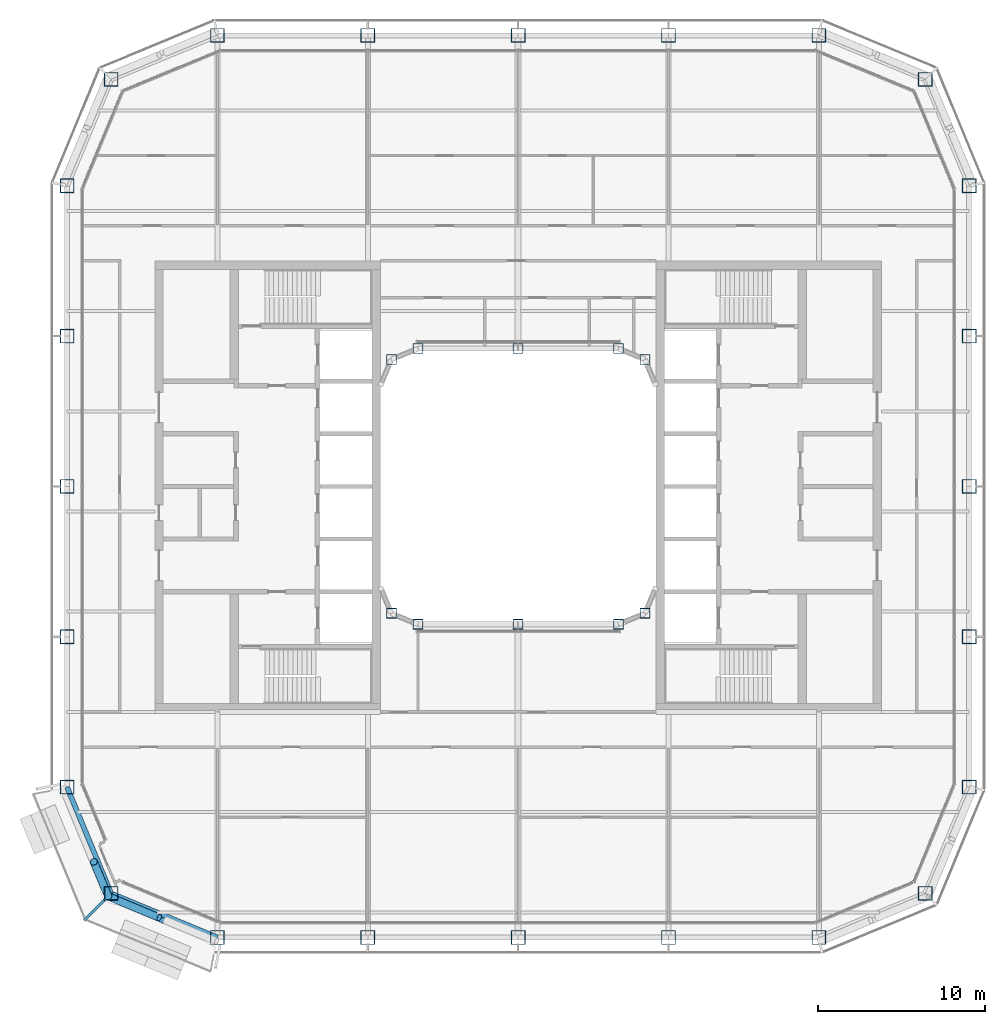
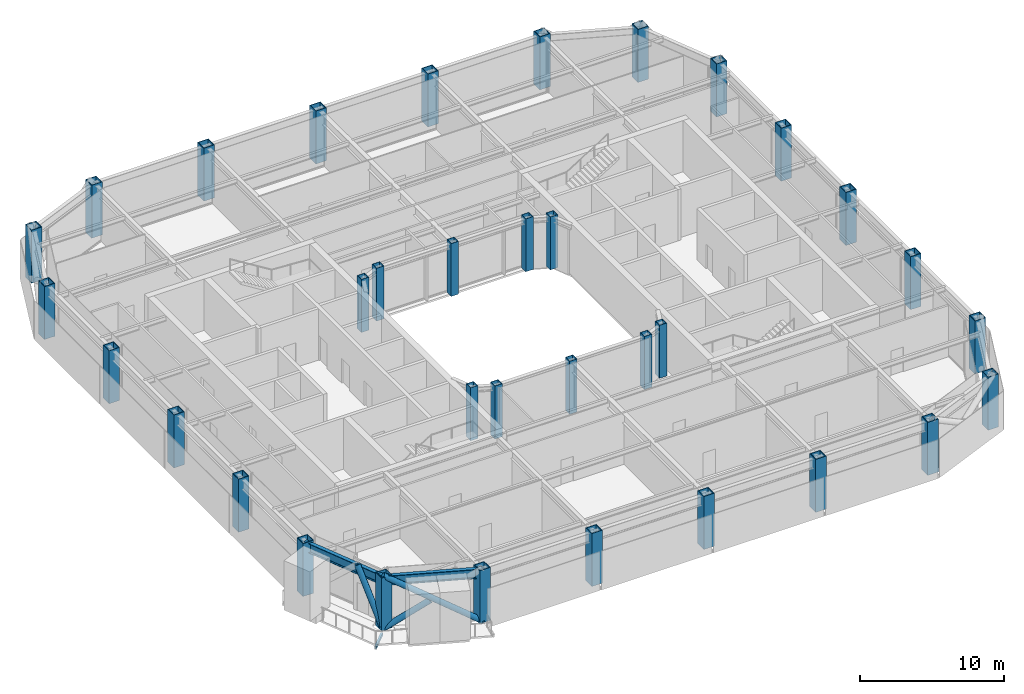
# One storey, part 1 of 23: 34 columns, 3 beams, 3 members.
"""IFC4 building model written with IfcOpenShell, lengths in metres."""

import ifcopenshell
import ifcopenshell.guid

model = None  # the IFC model being written
_history = None  # IfcOwnerHistory: only IFC2X3 demands one
_inside = {}  # id of a spatial element -> (the spatial element, [elements in it])
_under = {}  # id of a project, library or spatial element -> (it, [spatial elements below it])
_declared = {}  # id of a project -> (the project, [libraries it declares])
_typed = {}  # id of a type object -> (the type object, [elements of that type])
_made_of = {}  # id of a material, layer set ... -> (it, [elements and type objects made of it])


def new_model(schema):
    """Start an empty IFC model of exactly this schema.

    Asked for "IFC4X3", IfcOpenShell would pick the latest addendum, in which some entities
    have other attributes; the version numbers below select the first issue.
    IFC2X3 requires an IfcOwnerHistory on every rooted entity: one is made here for all.
    """
    global model, _history
    if schema == "IFC4X3":
        model = ifcopenshell.file(schema_version=(4, 3, 0, 0))
    else:
        model = ifcopenshell.file(schema=schema)
    _inside.clear()
    _under.clear()
    _declared.clear()
    _typed.clear()
    _made_of.clear()
    _history = None
    if model.schema == "IFC2X3":
        org = make("IfcOrganization", Name="unknown")
        user = make(
            "IfcPersonAndOrganization",
            ThePerson=make("IfcPerson", FamilyName="unknown"),
            TheOrganization=org,
        )
        app = make(
            "IfcApplication",
            ApplicationDeveloper=org,
            Version="unknown",
            ApplicationFullName="unknown",
            ApplicationIdentifier="unknown",
        )
        _history = make(
            "IfcOwnerHistory",
            OwningUser=user,
            OwningApplication=app,
            ChangeAction="ADDED",
            CreationDate=0,
        )
    return model


def make(cls, **values):
    """One entity of the class cls with the attributes given. An attribute that is None is left unset."""
    return model.create_entity(
        cls, **{name: value for name, value in values.items() if value is not None}
    )


def rooted(cls, **values):
    """An entity with a GlobalId (a new one), such as an element, a storey or a relation."""
    return make(cls, GlobalId=ifcopenshell.guid.new(), OwnerHistory=_history, **values)


def si_unit(unit_type, name, prefix=None):
    """IfcSIUnit, for example si_unit("LENGTHUNIT", "METRE", prefix="MILLI")."""
    return make("IfcSIUnit", UnitType=unit_type, Prefix=prefix, Name=name)


def assignment(units):
    """IfcUnitAssignment: the units of a project."""
    return None if units is None else make("IfcUnitAssignment", Units=units)


def point(xyz):
    """IfcCartesianPoint."""
    return None if xyz is None else make("IfcCartesianPoint", Coordinates=xyz)


def direction(xyz):
    """IfcDirection."""
    return None if xyz is None else make("IfcDirection", DirectionRatios=xyz)


def frame(location, z_axis=None, x_axis=None):
    """IfcAxis2Placement3D, a coordinate frame: its origin and axes. An axis left out is left unset."""
    return make(
        "IfcAxis2Placement3D",
        Location=point(location),
        Axis=direction(z_axis),
        RefDirection=direction(x_axis),
    )


def frame_2d(location, x_axis=None):
    """IfcAxis2Placement2D, a coordinate frame in the plane: its origin and x axis."""
    return make(
        "IfcAxis2Placement2D", Location=point(location), RefDirection=direction(x_axis)
    )


def origin():
    """The frame at (0, 0, 0) with its axes left unset."""
    return frame((0.0, 0.0, 0.0))


def origin_2d():
    """The frame at (0, 0) in the plane with its x axis left unset."""
    return frame_2d((0.0, 0.0))


def place(relative_to, where):
    """IfcLocalPlacement: puts the frame where relative to a parent placement (None: the world)."""
    return make(
        "IfcLocalPlacement", PlacementRelTo=relative_to, RelativePlacement=where
    )


def context(
    kind, dimensions, precision=None, world=None, true_north=None, identifier=None
):
    """IfcGeometricRepresentationContext, for example the 3D "Model" context."""
    return make(
        "IfcGeometricRepresentationContext",
        ContextIdentifier=identifier,
        ContextType=kind,
        CoordinateSpaceDimension=dimensions,
        Precision=precision,
        WorldCoordinateSystem=world,
        TrueNorth=true_north,
    )


def subcontext(parent, identifier, kind, view, scale=None):
    """IfcGeometricRepresentationSubContext, for example "Body" below "Model"."""
    return make(
        "IfcGeometricRepresentationSubContext",
        ContextIdentifier=identifier,
        ContextType=kind,
        ParentContext=parent,
        TargetScale=scale,
        TargetView=view,
    )


def project(units=None, contexts=None):
    """IfcProject with its units and contexts."""
    return rooted(
        "IfcProject",
        Name="project",
        RepresentationContexts=contexts,
        UnitsInContext=assignment(units),
    )


def spatial(cls, under=None, at=None, **own):
    """A site, building, storey or space (cls), placed at a placement, below another one or the project."""
    s = rooted(cls, ObjectPlacement=at, **own)
    if under is not None:
        _under.setdefault(under.id(), (under, []))[1].append(s)
    return s


def profile(cls, at=None, kind="AREA", **sizes):
    """A parametric profile (cls). Its sizes go by their IFC names, for example OverallWidth=200.0."""
    return make(cls, ProfileType=kind, Position=at, **sizes)


def hollow_rectangle(**sizes):
    """IfcRectangleHollowProfileDef."""
    return profile("IfcRectangleHollowProfileDef", **sizes)


def hollow_circle(**sizes):
    """IfcCircleHollowProfileDef."""
    return profile("IfcCircleHollowProfileDef", **sizes)


def i_section(**sizes):
    """IfcIShapeProfileDef."""
    return profile("IfcIShapeProfileDef", **sizes)


def extrude(swept, where, along, depth):
    """IfcExtrudedAreaSolid: the profile swept, set in the frame where, extruded along a direction by depth."""
    return make(
        "IfcExtrudedAreaSolid",
        SweptArea=swept,
        Position=where,
        ExtrudedDirection=direction(along),
        Depth=depth,
    )


def shape(context_of_items, identifier, shape_type, items):
    """IfcShapeRepresentation: the items that make up one representation, for example the "Body"."""
    return make(
        "IfcShapeRepresentation",
        ContextOfItems=context_of_items,
        RepresentationIdentifier=identifier,
        RepresentationType=shape_type,
        Items=items,
    )


def material(Name=None, Category=None):
    """IfcMaterial."""
    return make("IfcMaterial", Name=Name, Category=Category)


def material_profile(
    of_material, cross_section, Name=None, Category=None, Priority=None
):
    """IfcMaterialProfile: a cross section and its material."""
    return make(
        "IfcMaterialProfile",
        Name=Name,
        Material=of_material,
        Profile=cross_section,
        Priority=Priority,
        Category=Category,
    )


def profile_set(profiles, Name=None, composite=None):
    """IfcMaterialProfileSet."""
    return make(
        "IfcMaterialProfileSet",
        Name=Name,
        MaterialProfiles=profiles,
        CompositeProfile=composite,
    )


def made_of(thing, what):
    """Note that an element or type object is made of a material, layer set ...; save() writes the relation."""
    if what is not None:
        _made_of.setdefault(what.id(), (what, []))[1].append(thing)
    return thing


def type_object(cls, material=None, **own):
    """A type object (cls), such as IfcWallType, which elements share."""
    return made_of(rooted(cls, **own), material)


def element(
    cls,
    number,
    at=None,
    inside=None,
    cuts=None,
    type_object=None,
    material=None,
    context=None,
    identifier="Body",
    shape_type=None,
    held_by="IfcProductDefinitionShape",
    body=None,
    shapes=None,
    **own,
):
    """One element of the class cls, such as IfcWall. Its Tag is "e" and its number.

    at: its placement. inside: the storey or other place that contains it. cuts: it is an
    opening in that element (IfcRelVoidsElement). A single representation is given by context,
    identifier, shape_type and body (its items); several are given by shapes. held_by: the class
    of the entity that holds the representations. save() writes the other relations.
    """
    e = rooted(cls, Tag="e%d" % number, ObjectPlacement=at, **own)
    if body is not None:
        shapes = [shape(context, identifier, shape_type, body)]
    if shapes is not None:
        e.Representation = make(held_by, Representations=shapes)
    if inside is not None:
        _inside.setdefault(inside.id(), (inside, []))[1].append(e)
    if cuts is not None:
        rooted(
            "IfcRelVoidsElement", RelatingBuildingElement=cuts, RelatedOpeningElement=e
        )
    if type_object is not None:
        _typed.setdefault(type_object.id(), (type_object, []))[1].append(e)
    return made_of(e, material)


def aggregate(whole, parts):
    """IfcRelAggregates: a whole, such as a stair, and the parts it consists of."""
    return rooted("IfcRelAggregates", RelatingObject=whole, RelatedObjects=parts)


def save(model, path):
    """Write the relations noted so far, then the file.

    IfcRelAggregates (storeys below a building ...), IfcRelContainedInSpatialStructure (elements
    in a storey), IfcRelDefinesByType, IfcRelAssociatesMaterial and IfcRelDeclares: one each for
    every whole, place, type object, material and project.
    """
    for whole, parts in _under.values():
        aggregate(whole, parts)
    for where, things in _inside.values():
        rooted(
            "IfcRelContainedInSpatialStructure",
            RelatedElements=things,
            RelatingStructure=where,
        )
    for kind, things in _typed.values():
        rooted("IfcRelDefinesByType", RelatedObjects=things, RelatingType=kind)
    for what, things in _made_of.values():
        rooted("IfcRelAssociatesMaterial", RelatedObjects=things, RelatingMaterial=what)
    for by, libraries in _declared.values():
        rooted("IfcRelDeclares", RelatingContext=by, RelatedDefinitions=libraries)
    model.write(path)


model = new_model("IFC4")

# Units and contexts
model_context = context("Model", 3, precision=1e-05, world=origin(), true_north=direction((0.0, 1.0)))
body_context = subcontext(model_context, "Body", "Model", "MODEL_VIEW")
ifc_project = project(units=[si_unit("LENGTHUNIT", "METRE"), si_unit("AREAUNIT", "SQUARE_METRE"), si_unit("VOLUMEUNIT", "CUBIC_METRE"), si_unit("PLANEANGLEUNIT", "RADIAN"), si_unit("MASSUNIT", "GRAM", prefix="KILO")], contexts=[model_context])

# Site, building, storey
site_placement = place(None, origin())
site = spatial("IfcSite", under=ifc_project, at=site_placement, CompositionType="ELEMENT")
building_placement = place(site_placement, origin())
building = spatial("IfcBuilding", under=site, at=building_placement, Name="Siwar Civic Tower", CompositionType="ELEMENT")
storey_placement = place(building_placement, frame((0.0, 0.0, 197.199951171875)))
storey = spatial("IfcBuildingStorey", under=building, at=storey_placement, Name="L42", CompositionType="ELEMENT", Elevation=197.199951171875)

# Columns
ifc_material_1 = material(Name="Steel S355", Category="steel")
ifc_material_profile_1 = material_profile(ifc_material_1, hollow_rectangle(XDim=0.85009765625, YDim=0.85009765625, WallThickness=0.050048828125, at=origin_2d()), Name="BOX850x850x50")
ifc_profile_set_1 = profile_set([ifc_material_profile_1], Name="Steel S355")
column_type_1 = type_object("IfcColumnType", Name="STR-COL-BOX850x850x50", PredefinedType="COLUMN", material=ifc_profile_set_1)
for number, where, z_axis, x_axis, name in (
    (1, (-18.0, -27.0, 0.0), (0.0, 0.0, 1.0), (1.0, 0.0, 0.0), "L42/col/S-0"),
    (2, (-9.0, -27.0, 0.0), (0.0, 0.0, 1.0), (1.0, 0.0, 0.0), "L42/col/S-1"),
    (3, (0.0, -27.0, 0.0), (0.0, 0.0, 1.0), (1.0, 0.0, 0.0), "L42/col/S-2"),
    (4, (9.0, -27.0, 0.0), (0.0, 0.0, 1.0), (1.0, 0.0, 0.0), "L42/col/S-3"),
    (5, (18.0, -27.0, 0.0), (0.0, 0.0, 1.0), (1.0, 0.0, 0.0), "L42/col/SE1-0"),
    (6, (24.364013671875, -24.364013671875, 0.0), (0.0, 0.0, 1.0), (1.0, 0.0, 0.0), "L42/col/SE2-0"),
    (7, (27.0, -18.0, 0.0), (0.0, 0.0, 1.0), (1.0, 0.0, 0.0), "L42/col/E-0"),
    (8, (27.0, -9.0, 0.0), (0.0, 0.0, 1.0), (1.0, 0.0, 0.0), "L42/col/E-1"),
    (9, (27.0, 0.0, 0.0), (0.0, 0.0, 1.0), (1.0, 0.0, 0.0), "L42/col/E-2"),
    (10, (27.0, 9.0, 0.0), (0.0, 0.0, 1.0), (1.0, 0.0, 0.0), "L42/col/E-3"),
    (11, (27.0, 18.0, 0.0), (0.0, 0.0, 1.0), (1.0, 0.0, 0.0), "L42/col/NE1-0"),
    (12, (24.364013671875, 24.364013671875, 0.0), (0.0, 0.0, 1.0), (1.0, 0.0, 0.0), "L42/col/NE2-0"),
    (13, (18.0, 27.0, 0.0), (0.0, 0.0, 1.0), (1.0, 0.0, 0.0), "L42/col/N-0"),
    (14, (9.0, 27.0, 0.0), (0.0, 0.0, 1.0), (1.0, 0.0, 0.0), "L42/col/N-1"),
    (15, (0.0, 27.0, 0.0), (0.0, 0.0, 1.0), (1.0, 0.0, 0.0), "L42/col/N-2"),
    (16, (-9.0, 27.0, 0.0), (0.0, 0.0, 1.0), (1.0, 0.0, 0.0), "L42/col/N-3"),
    (17, (-18.0, 27.0, 0.0), (0.0, 0.0, 1.0), (1.0, 0.0, 0.0), "L42/col/NW1-0"),
    (18, (-24.364013671875, 24.364013671875, 0.0), (0.0, 0.0, 1.0), (1.0, 0.0, 0.0), "L42/col/NW2-0"),
    (19, (-27.0, 18.0, 0.0), (0.0, 0.0, 1.0), (1.0, 0.0, 0.0), "L42/col/W-0"),
    (20, (-27.0, 9.0, 0.0), (0.0, 0.0, 1.0), (1.0, 0.0, 0.0), "L42/col/W-1"),
    (21, (-27.0, 0.0, 0.0), (0.0, 0.0, 1.0), (1.0, 0.0, 0.0), "L42/col/W-2"),
    (22, (-27.0, -9.0, 0.0), (0.0, 0.0, 1.0), (1.0, 0.0, 0.0), "L42/col/W-3"),
    (23, (-27.0, -18.0, 0.0), (0.0, 0.0, 1.0), (1.0, 0.0, 0.0), "L42/col/SW1-0"),
    (24, (-24.364013671875, -24.364013671875, 0.0), (0.0, 0.0, 1.0), (1.0, 0.0, 0.0), "L42/col/SW2-0"),
):
    element("IfcColumn", number, at=place(storey_placement, frame(where, z_axis=z_axis, x_axis=x_axis)), inside=storey, type_object=column_type_1, Name=name, PredefinedType="COLUMN", context=body_context, shape_type="SweptSolid", body=[
        extrude(hollow_rectangle(XDim=0.85009765625, YDim=0.85009765625, WallThickness=0.050048828125, at=origin_2d()), origin(), (0.0, 0.0, 1.0), 4.5),
    ])
ifc_material_2 = material(Name="Steel S355", Category="steel")
ifc_material_profile_2 = material_profile(ifc_material_2, hollow_rectangle(XDim=0.60009765625, YDim=0.60009765625, WallThickness=0.031982421875, at=origin_2d()), Name="BOX600x600x32")
ifc_profile_set_2 = profile_set([ifc_material_profile_2], Name="Steel S355")
column_type_2 = type_object("IfcColumnType", Name="STR-ICOL-BOX600x600x32", PredefinedType="COLUMN", material=ifc_profile_set_2)
for number, where, z_axis, x_axis, name in (
    (25, (-7.591064453125, -7.591064453125, 0.0), (0.0, 0.0, 1.0), (1.0, 0.0, 0.0), "L42/col/IS-0"),
    (26, (-6.0, -8.25, 0.0), (0.0, 0.0, 1.0), (1.0, 0.0, 0.0), "L42/col/IS-1"),
    (27, (0.0, -8.25, 0.0), (0.0, 0.0, 1.0), (1.0, 0.0, 0.0), "L42/col/IS-2"),
    (28, (6.0, -8.25, 0.0), (0.0, 0.0, 1.0), (1.0, 0.0, 0.0), "L42/col/IS-3"),
    (29, (7.591064453125, -7.591064453125, 0.0), (0.0, 0.0, 1.0), (1.0, 0.0, 0.0), "L42/col/IS-4"),
    (30, (-7.591064453125, 7.591064453125, 0.0), (0.0, 0.0, 1.0), (1.0, 0.0, 0.0), "L42/col/IN-0"),
    (31, (-6.0, 8.25, 0.0), (0.0, 0.0, 1.0), (1.0, 0.0, 0.0), "L42/col/IN-1"),
    (32, (0.0, 8.25, 0.0), (0.0, 0.0, 1.0), (1.0, 0.0, 0.0), "L42/col/IN-2"),
    (33, (6.0, 8.25, 0.0), (0.0, 0.0, 1.0), (1.0, 0.0, 0.0), "L42/col/IN-3"),
    (34, (7.591064453125, 7.591064453125, 0.0), (0.0, 0.0, 1.0), (1.0, 0.0, 0.0), "L42/col/IN-4"),
):
    element("IfcColumn", number, at=place(storey_placement, frame(where, z_axis=z_axis, x_axis=x_axis)), inside=storey, type_object=column_type_2, Name=name, PredefinedType="COLUMN", context=body_context, shape_type="SweptSolid", body=[
        extrude(hollow_rectangle(XDim=0.60009765625, YDim=0.60009765625, WallThickness=0.031982421875, at=origin_2d()), origin(), (0.0, 0.0, 1.0), 4.5),
    ])

# Beam
ifc_material_3 = material(Name="Steel S355", Category="steel")
ifc_material_profile_3 = material_profile(ifc_material_3, hollow_rectangle(XDim=0.14990234375, YDim=0.25, WallThickness=0.010009765625, at=origin_2d()), Name="RHS250x150x10")
ifc_profile_set_3 = profile_set([ifc_material_profile_3], Name="Steel S355")
beam_type_1 = type_object("IfcBeamType", Name="ENV-BALCONY ARM", PredefinedType="BEAM", material=ifc_profile_set_3)
beam_placement = place(storey_placement, frame((-24.753662109375, -24.753662109375, -0.27490234375), z_axis=(-0.707106781187, -0.707106781187, 0.0), x_axis=(0.707106781187, -0.707106781187, 0.0)))
element("IfcBeam", 35, at=beam_placement, inside=storey, type_object=beam_type_1, Name="Balcony cantilever beam SW 2", PredefinedType="BEAM", context=body_context, shape_type="SweptSolid", body=[
    extrude(hollow_rectangle(XDim=0.14990234375, YDim=0.25, WallThickness=0.010009765625, at=origin_2d()), origin(), (0.0, 0.0, 1.0), 1.721923828125),
])

# Members
ifc_material_4 = material(Name="Steel S355", Category="steel")
ifc_material_profile_4 = material_profile(ifc_material_4, hollow_circle(Radius=0.228515625, WallThickness=0.02001953125, at=origin_2d()), Name="CHS457x20")
ifc_profile_set_4 = profile_set([ifc_material_profile_4], Name="Steel S355")
member_type = type_object("IfcMemberType", Name="STR-BR-CHS457x20", PredefinedType="BRACE", material=ifc_profile_set_4)
member_1_placement = place(storey_placement, frame((-18.048828125, -27.2451171875, 0.0), z_axis=(-0.777554562952, 0.323905527954, 0.538975055633), x_axis=(-0.384538969033, -0.923108759191, 0.0)))
element("IfcMember", 36, at=member_1_placement, inside=storey, type_object=member_type, Name="L42/brc/CSW1-2-0-1", PredefinedType="BRACE", context=body_context, shape_type="SweptSolid", body=[
    extrude(hollow_circle(Radius=0.228515625, WallThickness=0.02001953125, at=origin_2d()), origin(), (0.0, 0.0, 1.0), 8.34912109375),
])
member_2_placement = place(storey_placement, frame((-24.540771484375, -24.540771484375, 0.0), z_axis=(0.777546448489, -0.323884455881, 0.538999424564), x_axis=(0.38452107079, 0.92311621485, 0.0)))
element("IfcMember", 37, at=member_2_placement, inside=storey, type_object=member_type, Name="L42/brc/CSW1-2-0-2", PredefinedType="BRACE", context=body_context, shape_type="SweptSolid", body=[
    extrude(hollow_circle(Radius=0.228515625, WallThickness=0.02001953125, at=origin_2d()), origin(), (0.0, 0.0, 1.0), 3.927978515625),
])
member_3_placement = place(storey_placement, frame((-24.540771484375, -24.540771484375, 0.0), z_axis=(-0.171426870802, 0.411570178484, 0.895110504993), x_axis=(-0.923125254544, -0.384499368559, 0.0)))
element("IfcMember", 38, at=member_3_placement, inside=storey, type_object=member_type, Name="L42/brc/CSW1-2-0-6", PredefinedType="BRACE", context=body_context, shape_type="SweptSolid", body=[
    extrude(hollow_circle(Radius=0.228515625, WallThickness=0.02001953125, at=origin_2d()), origin(), (0.0, 0.0, 1.0), 5.02734375),
])

# Beams
ifc_material_5 = material(Name="Steel S355", Category="steel")
ifc_material_profile_5 = material_profile(ifc_material_5, i_section(OverallWidth=0.300048828125, OverallDepth=0.800048828125, WebThickness=0.017578125, FlangeThickness=0.032958984375, FilletRadius=0.030029296875, at=origin_2d()), Name="HEB800")
ifc_profile_set_5 = profile_set([ifc_material_profile_5], Name="Steel S355")
beam_type_2 = type_object("IfcBeamType", Name="STR-SB-HEB800", PredefinedType="BEAM", material=ifc_profile_set_5)
for number, where, z_axis, x_axis, name in (
    (39, (-27.0, -18.0, 3.949951171875), (0.382674207535, -0.923883353507, 0.0), (0.923883353507, 0.382674207535, 0.0), "L42/bm/SSW1-0"),
    (40, (-24.364013671875, -24.364013671875, 3.949951171875), (0.923883353507, -0.382674207535, 0.0), (0.382674207535, 0.923883353507, 0.0), "L42/bm/SSW2-0"),
):
    element("IfcBeam", number, at=place(storey_placement, frame(where, z_axis=z_axis, x_axis=x_axis)), inside=storey, type_object=beam_type_2, Name=name, PredefinedType="BEAM", context=body_context, shape_type="SweptSolid", body=[
        extrude(i_section(OverallWidth=0.300048828125, OverallDepth=0.800048828125, WebThickness=0.017578125, FlangeThickness=0.032958984375, FilletRadius=0.030029296875, at=origin_2d()), origin(), (0.0, 0.0, 1.0), 6.888427734375),
    ])

save(model, "model.ifc")
